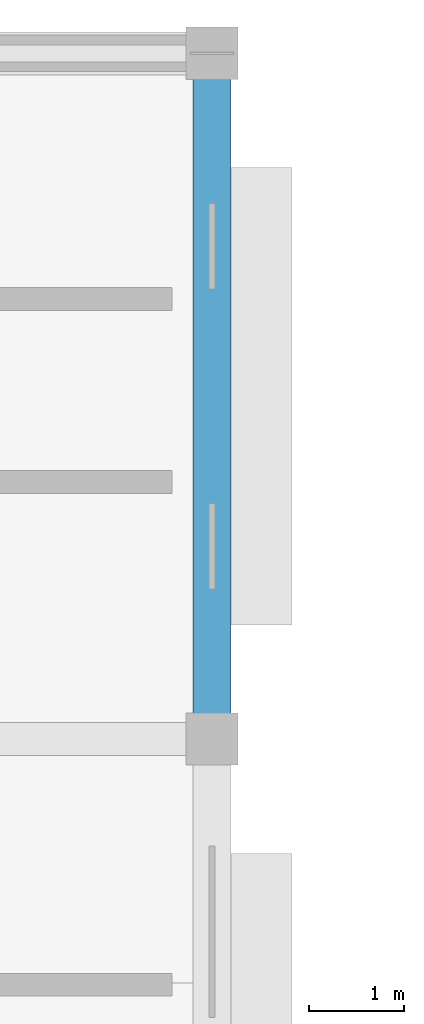
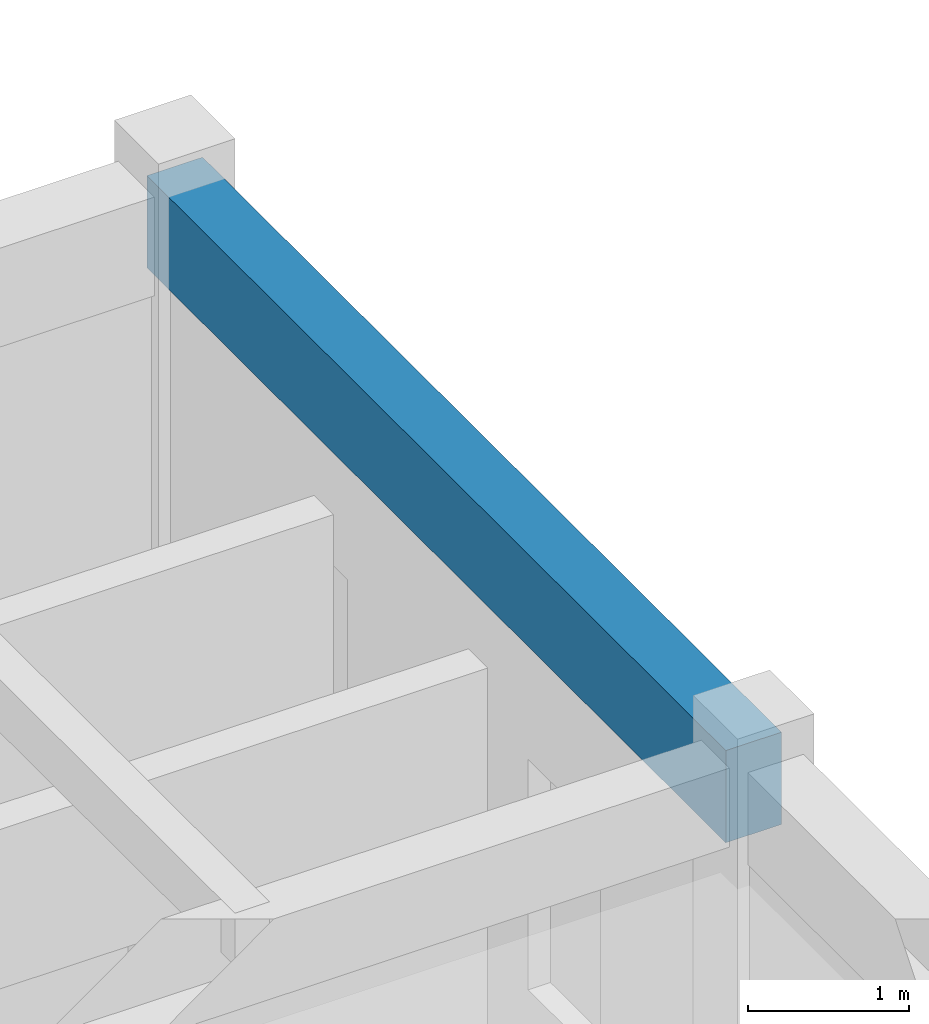
# One storey, part 60 of 171: 1 beam.
"""IFC4 building model written with IfcOpenShell, lengths in metres."""

from ifc_helpers import new_model, si_unit, direction, frame, origin, origin_2d, place, context, subcontext, project, spatial, rectangle, extrude, material, material_profile, profile_set, type_object, element, save


model = new_model("IFC4")

# Units and contexts
model_context = context("Model", 3, precision=1e-05, world=origin(), true_north=direction((0.0, 1.0)))
body_context = subcontext(model_context, "Body", "Model", "MODEL_VIEW")
ifc_project = project(units=[si_unit("LENGTHUNIT", "METRE"), si_unit("AREAUNIT", "SQUARE_METRE"), si_unit("VOLUMEUNIT", "CUBIC_METRE"), si_unit("PLANEANGLEUNIT", "RADIAN"), si_unit("MASSUNIT", "GRAM", prefix="KILO")], contexts=[model_context])

# Site, building, storey
site_placement = place(None, origin())
site = spatial("IfcSite", under=ifc_project, at=site_placement, CompositionType="ELEMENT")
building_placement = place(site_placement, origin())
building = spatial("IfcBuilding", under=site, at=building_placement, Name="Aldebral Square Health Centre", CompositionType="ELEMENT")
storey_placement = place(building_placement, frame((0.0, 0.0, 4.5)))
storey = spatial("IfcBuildingStorey", under=building, at=storey_placement, Name="L01", CompositionType="ELEMENT", Elevation=4.5)

# Beam
ifc_material = material(Name="Concrete C40/50", Category="concrete")
ifc_material_profile = material_profile(ifc_material, rectangle(XDim=0.39990234375, YDim=0.699951171875, at=origin_2d()), Name="RC 400x700")
ifc_profile_set = profile_set([ifc_material_profile], Name="Concrete C40/50")
beam_type = type_object("IfcBeamType", Name="BM-G3", PredefinedType="T_BEAM", material=ifc_profile_set)
beam_placement = place(storey_placement, frame((64.800048828125, 108.0, 3.8701171875), z_axis=(0.0, 1.0, 0.0), x_axis=(-1.0, 0.0, 0.0)))
element("IfcBeam", 1, at=beam_placement, inside=storey, type_object=beam_type, Name="L01 Y-beam G10/16-17", PredefinedType="T_BEAM", context=body_context, shape_type="SweptSolid", body=[
    extrude(rectangle(XDim=0.39990234375, YDim=0.699951171875, at=origin_2d()), origin(), (0.0, 0.0, 1.0), 7.199951171875),
])

save(model, "model.ifc")
